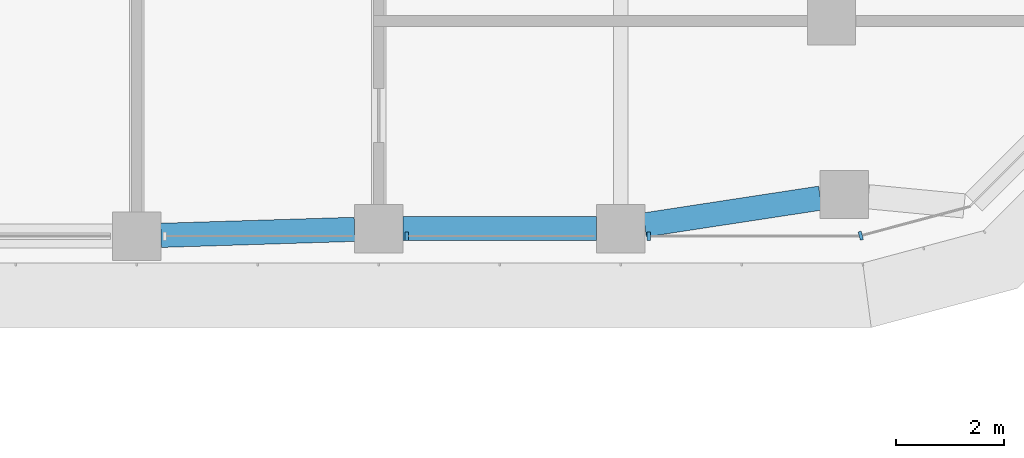
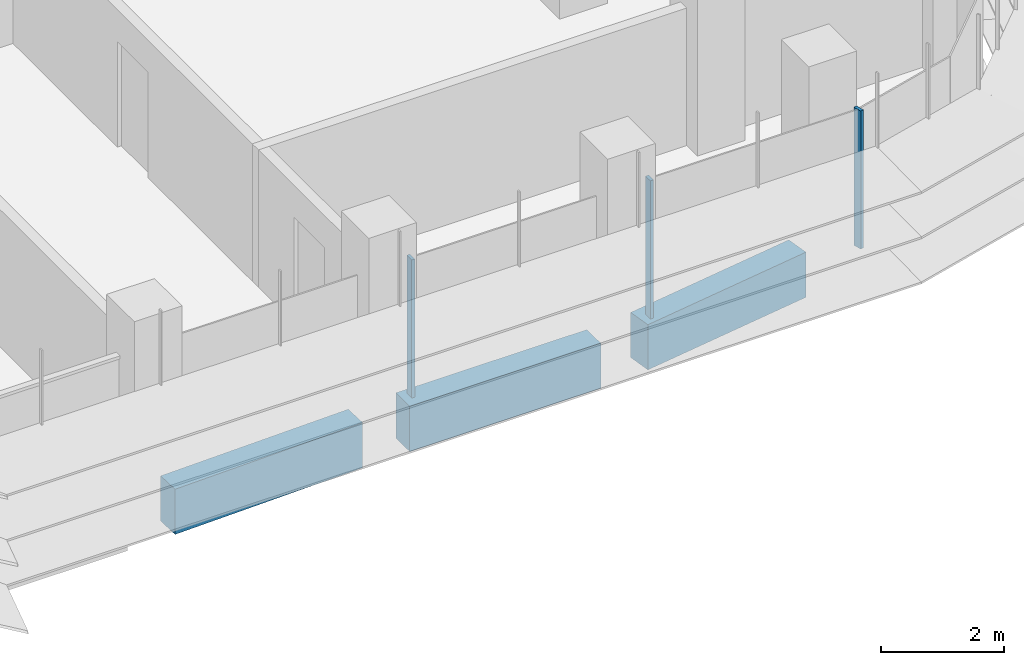
# One storey, part 5 of 23: 3 beams, 3 members, 2 elements without a shape of their own.
"""IFC4 building model written with IfcOpenShell, lengths in metres."""

from ifc_helpers import new_model, si_unit, direction, frame, origin, origin_2d, place, context, subcontext, project, spatial, polyline, rectangle, outline, extrude, source, transform, mapped, material, material_profile, profile_set, type_object, element, aggregate, save


model = new_model("IFC4")

# Units and contexts
model_context = context("Model", 3, precision=1e-05, world=origin(), true_north=direction((0.0, 1.0)))
body_context = subcontext(model_context, "Body", "Model", "MODEL_VIEW")
ifc_project = project(units=[si_unit("LENGTHUNIT", "METRE"), si_unit("AREAUNIT", "SQUARE_METRE"), si_unit("VOLUMEUNIT", "CUBIC_METRE"), si_unit("PLANEANGLEUNIT", "RADIAN"), si_unit("MASSUNIT", "GRAM", prefix="KILO")], contexts=[model_context])

# Site, building, storey
site_placement = place(None, origin())
site = spatial("IfcSite", under=ifc_project, at=site_placement, CompositionType="ELEMENT")
building_placement = place(site_placement, origin())
building = spatial("IfcBuilding", under=site, at=building_placement, Name="Zarbagh Exchange Tower", CompositionType="ELEMENT")
storey_placement = place(building_placement, frame((0.0, 0.0, 86.60009765625)))
storey = spatial("IfcBuildingStorey", under=building, at=storey_placement, Name="L19", CompositionType="ELEMENT", Elevation=86.60009765625)

# Beams
ifc_material_1 = material(Name="Concrete C60/75", Category="concrete")
ifc_material_profile = material_profile(ifc_material_1, rectangle(XDim=0.449951171875, YDim=0.89990234375, at=origin_2d()), Name="RC spandrel beam 450 x 900 C60/75")
ifc_profile_set = profile_set([ifc_material_profile], Name="Concrete C60/75")
beam_type = type_object("IfcBeamType", Name="RC spandrel beam 450 x 900 C60/75", PredefinedType="SPANDREL", material=ifc_profile_set)
beam_1_placement = place(storey_placement, frame((28.463134765625, -5.54296875, -0.60009765625), z_axis=(-0.988543505948, -0.150936201252, 0.0), x_axis=(0.150936201252, -0.988543505948, 0.0)))
element("IfcBeam", 1, at=beam_1_placement, inside=storey, type_object=beam_type, Name="RC spandrel beam", PredefinedType="SPANDREL", context=body_context, shape_type="SweptSolid", body=[
    extrude(rectangle(XDim=0.449951171875, YDim=0.89990234375, at=origin_2d()), origin(), (0.0, 0.0, 1.0), 3.30615234375),
])
beam_2_placement = place(storey_placement, frame((24.300048828125, -6.110107421875, -0.60009765625), z_axis=(-1.0, 0.0, 0.0), x_axis=(0.0, -1.0, 0.0)))
element("IfcBeam", 2, at=beam_2_placement, inside=storey, type_object=beam_type, Name="RC spandrel beam", PredefinedType="SPANDREL", context=body_context, shape_type="SweptSolid", body=[
    extrude(rectangle(XDim=0.449951171875, YDim=0.89990234375, at=origin_2d()), origin(), (0.0, 0.0, 1.0), 3.60009765625),
])
beam_3_placement = place(storey_placement, frame((19.80029296875, -6.1240234375, -0.60009765625), z_axis=(-0.999516035224, -0.031107801747, 0.0), x_axis=(0.031107801747, -0.999516035224, 0.0)))
element("IfcBeam", 3, at=beam_3_placement, inside=storey, type_object=beam_type, Name="RC spandrel beam", PredefinedType="SPANDREL", context=body_context, shape_type="SweptSolid", body=[
    extrude(rectangle(XDim=0.449951171875, YDim=0.89990234375, at=origin_2d()), origin(), (0.0, 0.0, 1.0), 3.602294921875),
])

# Curtain wall, members
ifc_material_2 = material(Name="Anodised aluminium frame and glazing", Category="aluminium")
curtain_wall_type = type_object("IfcCurtainWallType", Name="CWA Ribbon glazing, lower zones", PredefinedType="NOTDEFINED", material=ifc_material_2)
curtain_wall_1_placement = place(storey_placement, origin())
curtain_wall_1 = element("IfcCurtainWall", 4, at=curtain_wall_1_placement, inside=storey, type_object=curtain_wall_type, Name="CWA08 curtain wall", PredefinedType="NOTDEFINED")
ifc_material_3 = material(Name="Anodised aluminium frame", Category="aluminium")
member_type = type_object("IfcMemberType", Name="MUA Mullion, anodised aluminium frame", PredefinedType="MULLION", material=ifc_material_3)
shared_shape = source(origin(), body_context, "Body", "SweptSolid", [
    extrude(outline(polyline([(0.0, -0.080078125), (0.06005859375, -0.080078125), (0.06005859375, 0.080078125), (0.0, 0.080078125), (0.0, -0.080078125)])), origin(), (0.0, 0.0, 1.0), 2.75),
])
placement = place(storey_placement, origin())
member_1 = element("IfcMember", 5, at=placement, type_object=member_type, Name="CWA08 mullion 3.1", PredefinedType="MULLION", context=body_context, shape_type="MappedRepresentation", body=[
    mapped(shared_shape, transform((20.739990234375, -6.25, 0.0), x_axis=(1.0, 0.0, 0.0), y_axis=(0.0, 1.0, 0.0), z_axis=(0.0, 0.0, 1.0))),
])
member_2 = element("IfcMember", 6, at=placement, type_object=member_type, Name="CWA08 mullion 4.1", PredefinedType="MULLION", context=body_context, shape_type="MappedRepresentation", body=[
    mapped(shared_shape, transform((25.239990234375, -6.25, 0.0), x_axis=(1.0, 0.0, 0.0), y_axis=(0.0, 1.0, 0.0), z_axis=(0.0, 0.0, 1.0))),
])
aggregate(curtain_wall_1, [member_1, member_2])

# Curtain wall, member
curtain_wall_2_placement = place(storey_placement, origin())
curtain_wall_2 = element("IfcCurtainWall", 7, at=curtain_wall_2_placement, inside=storey, type_object=curtain_wall_type, Name="CWA09 curtain wall", PredefinedType="NOTDEFINED")
member_3 = element("IfcMember", 8, at=placement, type_object=member_type, Name="CWA09 mullion 1.1", PredefinedType="MULLION", context=body_context, shape_type="MappedRepresentation", body=[
    mapped(shared_shape, transform((29.18408203125, -6.25, 0.0), x_axis=(0.965924289636, 0.258824779902, 0.0), y_axis=(-0.258824779902, 0.965924289636, 0.0), z_axis=(0.0, 0.0, 1.0))),
])
aggregate(curtain_wall_2, [member_3])

save(model, "model.ifc")
